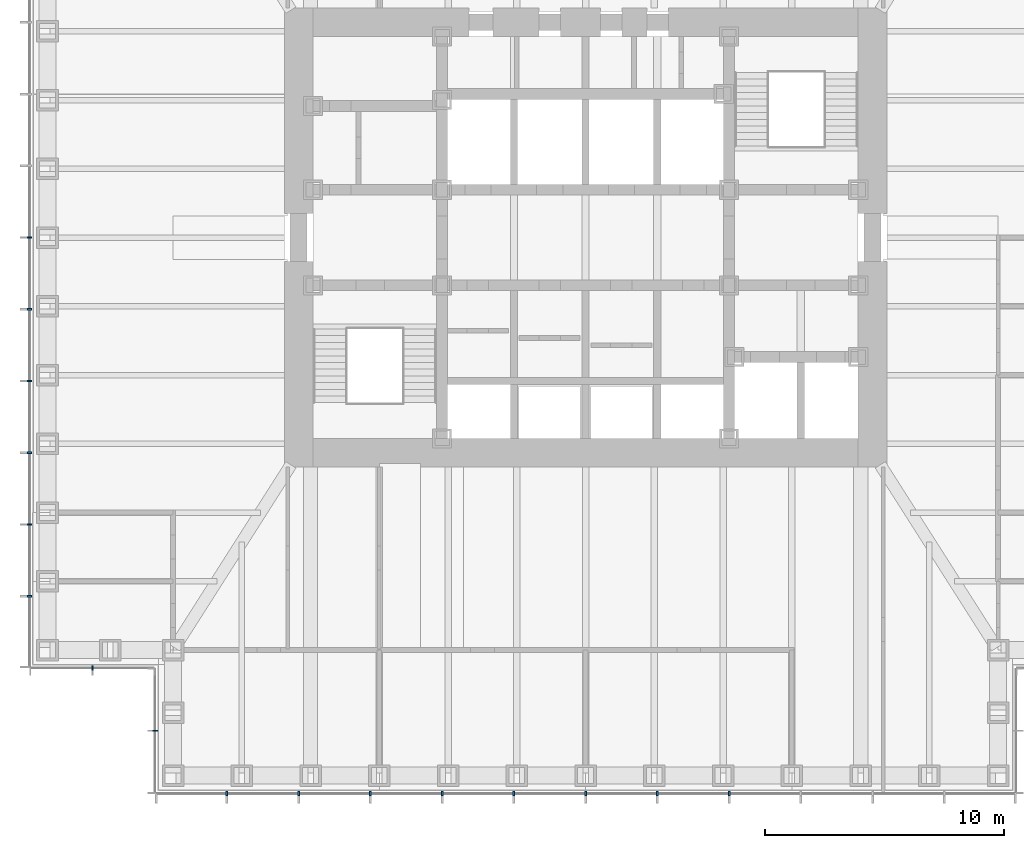
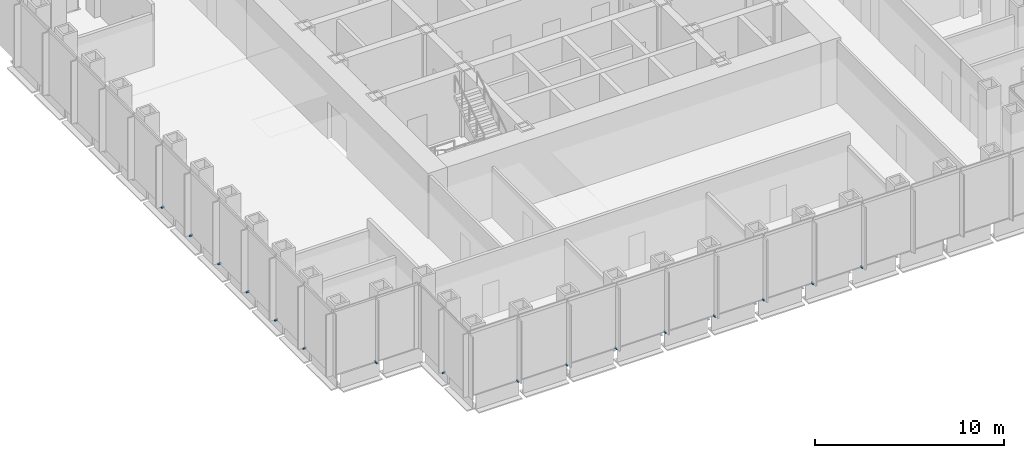
# One storey, part 12 of 17: 16 discrete accessories.
"""IFC4 building model written with IfcOpenShell, lengths in metres."""

from ifc_helpers import new_model, si_unit, direction, frame, origin, origin_2d, place, context, subcontext, project, spatial, rectangle, extrude, element, save


model = new_model("IFC4")

# Units and contexts
model_context = context("Model", 3, precision=1e-05, world=origin(), true_north=direction((0.0, 1.0)))
body_context = subcontext(model_context, "Body", "Model", "MODEL_VIEW")
ifc_project = project(units=[si_unit("LENGTHUNIT", "METRE"), si_unit("AREAUNIT", "SQUARE_METRE"), si_unit("VOLUMEUNIT", "CUBIC_METRE"), si_unit("PLANEANGLEUNIT", "RADIAN"), si_unit("MASSUNIT", "GRAM", prefix="KILO")], contexts=[model_context])

# Site, building, storey
site_placement = place(None, origin())
site = spatial("IfcSite", under=ifc_project, at=site_placement, CompositionType="ELEMENT")
building_placement = place(site_placement, origin())
building = spatial("IfcBuilding", under=site, at=building_placement, Name="Daluyong Arena Tower", CompositionType="ELEMENT")
storey_placement = place(building_placement, frame((0.0, 0.0, 166.89990234375)))
storey = spatial("IfcBuildingStorey", under=building, at=storey_placement, Name="L37", CompositionType="ELEMENT", Elevation=166.89990234375)

# Discrete accessories
for number, where, z_axis, x_axis, name in (
    (1, (41.0, 56.75, -0.099853515625), (0.0, 0.0, 1.0), (1.0, 0.0, 0.0), "curtain wall L37 S anchor bracket 2"),
    (2, (44.0, 56.75, -0.099853515625), (0.0, 0.0, 1.0), (1.0, 0.0, 0.0), "curtain wall L37 S anchor bracket 3"),
    (3, (47.0, 56.75, -0.099853515625), (0.0, 0.0, 1.0), (1.0, 0.0, 0.0), "curtain wall L37 S anchor bracket 4"),
    (4, (50.0, 56.75, -0.099853515625), (0.0, 0.0, 1.0), (1.0, 0.0, 0.0), "curtain wall L37 S anchor bracket 5"),
    (5, (53.0, 56.75, -0.099853515625), (0.0, 0.0, 1.0), (1.0, 0.0, 0.0), "curtain wall L37 S anchor bracket 6"),
    (6, (56.0, 56.75, -0.099853515625), (0.0, 0.0, 1.0), (1.0, 0.0, 0.0), "curtain wall L37 S anchor bracket 7"),
    (7, (59.0, 56.75, -0.099853515625), (0.0, 0.0, 1.0), (1.0, 0.0, 0.0), "curtain wall L37 S anchor bracket 8"),
    (8, (62.0, 56.75, -0.099853515625), (0.0, 0.0, 1.0), (1.0, 0.0, 0.0), "curtain wall L37 S anchor bracket 9"),
    (9, (32.75, 80.0, -0.099853515625), (0.0, 0.0, 1.0), (0.0, -1.0, 0.0), "curtain wall L37 W anchor bracket 7"),
    (10, (32.75, 77.0, -0.099853515625), (0.0, 0.0, 1.0), (0.0, -1.0, 0.0), "curtain wall L37 W anchor bracket 8"),
    (11, (32.75, 74.0, -0.099853515625), (0.0, 0.0, 1.0), (0.0, -1.0, 0.0), "curtain wall L37 W anchor bracket 9"),
    (12, (32.75, 71.0, -0.099853515625), (0.0, 0.0, 1.0), (0.0, -1.0, 0.0), "curtain wall L37 W anchor bracket 10"),
    (13, (32.75, 68.0, -0.099853515625), (0.0, 0.0, 1.0), (0.0, -1.0, 0.0), "curtain wall L37 W anchor bracket 11"),
    (14, (32.75, 65.0, -0.099853515625), (0.0, 0.0, 1.0), (0.0, -1.0, 0.0), "curtain wall L37 W anchor bracket 12"),
):
    element("IfcDiscreteAccessory", number, at=place(storey_placement, frame(where, z_axis=z_axis, x_axis=x_axis)), inside=storey, Name=name, PredefinedType="BRACKET", context=body_context, shape_type="SweptSolid", body=[
        extrude(rectangle(XDim=0.080078125, YDim=0.199951171875, at=origin_2d()), origin(), (0.0, 0.0, 1.0), 0.10009765625),
    ])
for number, where, z_axis, x_axis, name in (
    (15, (35.375, 62.0, -0.099853515625), (0.0, 0.0, 1.0), (1.0, 0.0, 0.0), "curtain wall L37 SW-S anchor bracket 2"),
    (16, (38.0, 59.375, -0.099853515625), (0.0, 0.0, 1.0), (0.0, -1.0, 0.0), "curtain wall L37 SW-W anchor bracket 2"),
):
    element("IfcDiscreteAccessory", number, at=place(storey_placement, frame(where, z_axis=z_axis, x_axis=x_axis)), inside=storey, Name=name, PredefinedType="BRACKET", context=body_context, shape_type="SweptSolid", body=[
        extrude(rectangle(XDim=0.06005859375, YDim=0.199951171875, at=origin_2d()), origin(), (0.0, 0.0, 1.0), 0.10009765625),
    ])

save(model, "model.ifc")
